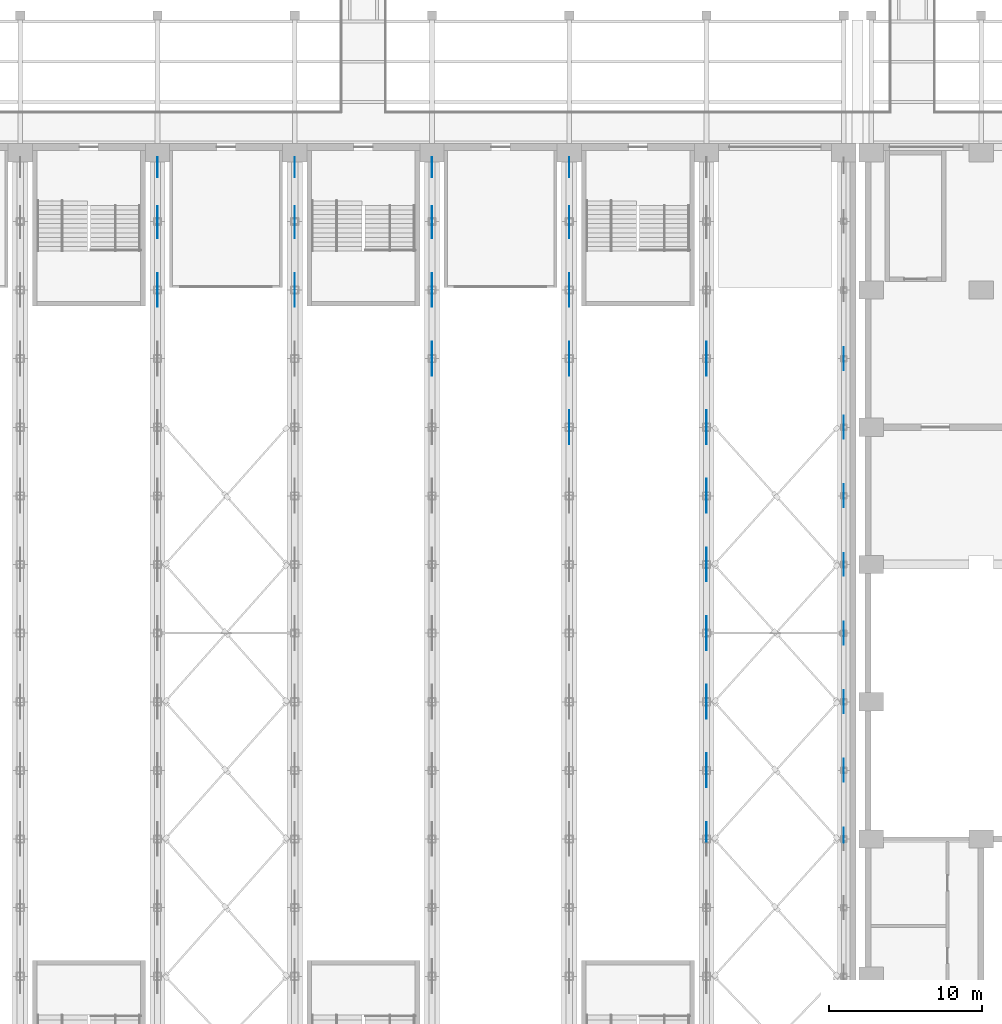
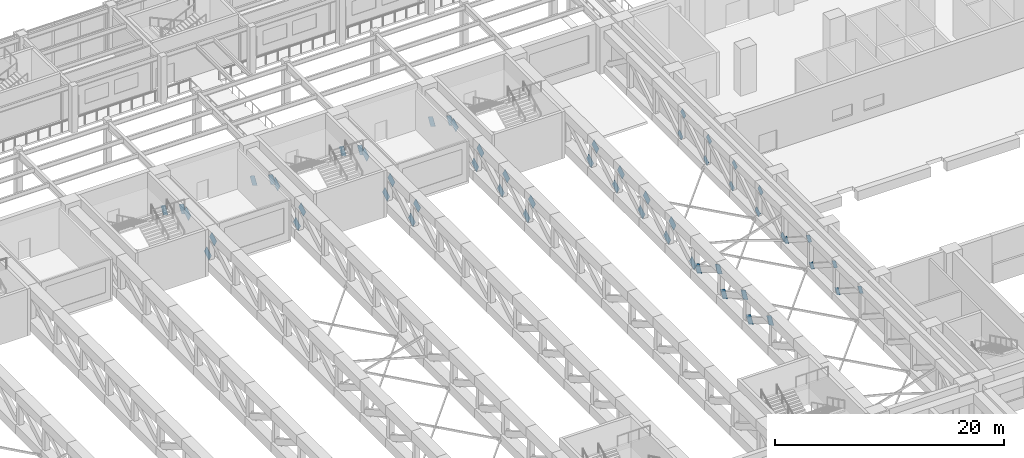
# One storey, part 57 of 76: 56 discrete accessories.
"""IFC4 building model written with IfcOpenShell, lengths in metres."""

from ifc_helpers import new_model, si_unit, direction, frame, origin, place, context, subcontext, project, spatial, polyline, outline, extrude, material, layer, layer_set, type_object, element, save


model = new_model("IFC4")

# Units and contexts
model_context = context("Model", 3, precision=1e-05, world=origin(), true_north=direction((0.0, 1.0)))
body_context = subcontext(model_context, "Body", "Model", "MODEL_VIEW")
ifc_project = project(units=[si_unit("LENGTHUNIT", "METRE"), si_unit("AREAUNIT", "SQUARE_METRE"), si_unit("VOLUMEUNIT", "CUBIC_METRE"), si_unit("PLANEANGLEUNIT", "RADIAN"), si_unit("MASSUNIT", "GRAM", prefix="KILO")], contexts=[model_context])

# Site, building, storey
site_placement = place(None, origin())
site = spatial("IfcSite", under=ifc_project, at=site_placement, CompositionType="ELEMENT")
building_placement = place(site_placement, origin())
building = spatial("IfcBuilding", under=site, at=building_placement, Name="Aravalli Gate Trade Fair Centre", CompositionType="ELEMENT")
storey_placement = place(building_placement, frame((0.0, 0.0, 10.0)))
storey = spatial("IfcBuildingStorey", under=building, at=storey_placement, Name="L02", CompositionType="ELEMENT", Elevation=10.0)

# Discrete accessories
ifc_material = material(Name="Steel E350", Category="steel")
ifc_layer_1 = layer(ifc_material, 0.01611328125)
ifc_layer_set_1 = layer_set([ifc_layer_1], Name="Steel E350")
discrete_accessory_type_1 = type_object("IfcDiscreteAccessoryType", Name="Gusset plate 675 x 675 x 16", PredefinedType="USERDEFINED", material=ifc_layer_set_1)
discrete_accessory_1_placement = place(storey_placement, frame((104.991943359375, 64.384521484375, 3.05078125), z_axis=(-1.0, 0.0, 0.0), x_axis=(0.0, -0.840557944742, 0.541721645803)))
element("IfcDiscreteAccessory", 1, at=discrete_accessory_1_placement, inside=storey, type_object=discrete_accessory_type_1, Name="Gusset plate FT2 line 12 diagonal 5 end A", ObjectType="GUSSET PLATE", PredefinedType="USERDEFINED", context=body_context, shape_type="SweptSolid", body=[
    extrude(outline(polyline([(0.0, 0.0), (0.7548813122812147, -5.551115123125783e-17), (0.755038993328129, 0.6749057537468108), (-0.0001797895562460905, 0.6748327956660154), (0.0, 0.0)])), origin(), (0.0, 0.0, -1.0), 0.01611328125),
])
discrete_accessory_2_placement = place(storey_placement, frame((105.008056640625, 67.749755859375, 0.882080078125), z_axis=(1.0, 0.0, 0.0), x_axis=(0.0, 0.840505607678, -0.541802845565)))
element("IfcDiscreteAccessory", 2, at=discrete_accessory_2_placement, inside=storey, type_object=discrete_accessory_type_1, Name="Gusset plate FT2 line 12 diagonal 5 end B", ObjectType="GUSSET PLATE", PredefinedType="USERDEFINED", context=body_context, shape_type="SweptSolid", body=[
    extrude(outline(polyline([(0.0, 0.0), (0.755218786408441, 0.0), (0.7549959059400588, 0.6749057353646954), (0.00011459718133527419, 0.674832809885664), (0.0, 0.0)])), origin(), (0.0, 0.0, -1.0), 0.01611328125),
])
discrete_accessory_3_placement = place(storey_placement, frame((104.991943359375, 68.884521484375, 3.05078125), z_axis=(-1.0, 0.0, 0.0), x_axis=(0.0, -0.840557944742, 0.541721645803)))
element("IfcDiscreteAccessory", 3, at=discrete_accessory_3_placement, inside=storey, type_object=discrete_accessory_type_1, Name="Gusset plate FT2 line 12 diagonal 6 end A", ObjectType="GUSSET PLATE", PredefinedType="USERDEFINED", context=body_context, shape_type="SweptSolid", body=[
    extrude(outline(polyline([(0.0, 0.0), (0.7548813122812147, -5.551115123125783e-17), (0.755038993328129, 0.6749057537468108), (-0.0001797895562460905, 0.6748327956660154), (0.0, 0.0)])), origin(), (0.0, 0.0, -1.0), 0.01611328125),
])
discrete_accessory_4_placement = place(storey_placement, frame((105.008056640625, 72.249755859375, 0.882080078125), z_axis=(1.0, 0.0, 0.0), x_axis=(0.0, 0.840505607678, -0.541802845565)))
element("IfcDiscreteAccessory", 4, at=discrete_accessory_4_placement, inside=storey, type_object=discrete_accessory_type_1, Name="Gusset plate FT2 line 12 diagonal 6 end B", ObjectType="GUSSET PLATE", PredefinedType="USERDEFINED", context=body_context, shape_type="SweptSolid", body=[
    extrude(outline(polyline([(0.0, 0.0), (0.755218786408441, 0.0), (0.7549959059400588, 0.6749057353646954), (0.00011459718133527419, 0.674832809885664), (0.0, 0.0)])), origin(), (0.0, 0.0, -1.0), 0.01611328125),
])
discrete_accessory_5_placement = place(storey_placement, frame((104.991943359375, 73.384521484375, 3.05078125), z_axis=(-1.0, 0.0, 0.0), x_axis=(0.0, -0.840557944742, 0.541721645803)))
element("IfcDiscreteAccessory", 5, at=discrete_accessory_5_placement, inside=storey, type_object=discrete_accessory_type_1, Name="Gusset plate FT2 line 12 diagonal 7 end A", ObjectType="GUSSET PLATE", PredefinedType="USERDEFINED", context=body_context, shape_type="SweptSolid", body=[
    extrude(outline(polyline([(0.0, 0.0), (0.7548813122812147, -5.551115123125783e-17), (0.755038993328129, 0.6749057537468108), (-0.0001797895562460905, 0.6748327956660154), (0.0, 0.0)])), origin(), (0.0, 0.0, -1.0), 0.01611328125),
])
for number, where, z_axis, x_axis, name in (
    (6, (105.008056640625, 76.749755859375, 0.882080078125), (1.0, 0.0, 0.0), (0.0, 0.840505607678, -0.541802845565), "Gusset plate FT2 line 12 diagonal 7 end B"),
    (7, (104.991943359375, 81.249755859375, 3.617919921875), (-1.0, 0.0, 0.0), (0.0, 0.840505607678, 0.541802845565), "Gusset plate FT2 line 12 diagonal 8 end A"),
):
    element("IfcDiscreteAccessory", number, at=place(storey_placement, frame(where, z_axis=z_axis, x_axis=x_axis)), inside=storey, type_object=discrete_accessory_type_1, Name=name, ObjectType="GUSSET PLATE", PredefinedType="USERDEFINED", context=body_context, shape_type="SweptSolid", body=[
        extrude(outline(polyline([(0.0, 0.0), (0.755218786408441, 0.0), (0.7549959059400588, 0.6749057353646954), (0.00011459718133527419, 0.674832809885664), (0.0, 0.0)])), origin(), (0.0, 0.0, -1.0), 0.01611328125),
    ])
discrete_accessory_6_placement = place(storey_placement, frame((105.008056640625, 77.884521484375, 1.44921875), z_axis=(1.0, 0.0, 0.0), x_axis=(0.0, -0.840557944742, -0.541721645803)))
element("IfcDiscreteAccessory", 8, at=discrete_accessory_6_placement, inside=storey, type_object=discrete_accessory_type_1, Name="Gusset plate FT2 line 12 diagonal 8 end B", ObjectType="GUSSET PLATE", PredefinedType="USERDEFINED", context=body_context, shape_type="SweptSolid", body=[
    extrude(outline(polyline([(0.0, 0.0), (0.7548813122812147, -5.551115123125783e-17), (0.755038993328129, 0.6749057537468108), (-0.0001797895562460905, 0.6748327956660154), (0.0, 0.0)])), origin(), (0.0, 0.0, -1.0), 0.01611328125),
])
discrete_accessory_7_placement = place(storey_placement, frame((104.991943359375, 85.749755859375, 3.617919921875), z_axis=(-1.0, 0.0, 0.0), x_axis=(0.0, 0.840505607678, 0.541802845565)))
element("IfcDiscreteAccessory", 9, at=discrete_accessory_7_placement, inside=storey, type_object=discrete_accessory_type_1, Name="Gusset plate FT2 line 12 diagonal 9 end A", ObjectType="GUSSET PLATE", PredefinedType="USERDEFINED", context=body_context, shape_type="SweptSolid", body=[
    extrude(outline(polyline([(0.0, 0.0), (0.755218786408441, 0.0), (0.7549959059400588, 0.6749057353646954), (0.00011459718133527419, 0.674832809885664), (0.0, 0.0)])), origin(), (0.0, 0.0, -1.0), 0.01611328125),
])
discrete_accessory_8_placement = place(storey_placement, frame((105.008056640625, 82.384521484375, 1.44921875), z_axis=(1.0, 0.0, 0.0), x_axis=(0.0, -0.840557944742, -0.541721645803)))
element("IfcDiscreteAccessory", 10, at=discrete_accessory_8_placement, inside=storey, type_object=discrete_accessory_type_1, Name="Gusset plate FT2 line 12 diagonal 9 end B", ObjectType="GUSSET PLATE", PredefinedType="USERDEFINED", context=body_context, shape_type="SweptSolid", body=[
    extrude(outline(polyline([(0.0, 0.0), (0.7548813122812147, -5.551115123125783e-17), (0.755038993328129, 0.6749057537468108), (-0.0001797895562460905, 0.6748327956660154), (0.0, 0.0)])), origin(), (0.0, 0.0, -1.0), 0.01611328125),
])
discrete_accessory_9_placement = place(storey_placement, frame((104.991943359375, 90.249755859375, 3.617919921875), z_axis=(-1.0, 0.0, 0.0), x_axis=(0.0, 0.840505607678, 0.541802845565)))
element("IfcDiscreteAccessory", 11, at=discrete_accessory_9_placement, inside=storey, type_object=discrete_accessory_type_1, Name="Gusset plate FT2 line 12 diagonal 10 end A", ObjectType="GUSSET PLATE", PredefinedType="USERDEFINED", context=body_context, shape_type="SweptSolid", body=[
    extrude(outline(polyline([(0.0, 0.0), (0.755218786408441, 0.0), (0.7549959059400588, 0.6749057353646954), (0.00011459718133527419, 0.674832809885664), (0.0, 0.0)])), origin(), (0.0, 0.0, -1.0), 0.01611328125),
])
discrete_accessory_10_placement = place(storey_placement, frame((105.008056640625, 86.884521484375, 1.44921875), z_axis=(1.0, 0.0, 0.0), x_axis=(0.0, -0.840557944742, -0.541721645803)))
element("IfcDiscreteAccessory", 12, at=discrete_accessory_10_placement, inside=storey, type_object=discrete_accessory_type_1, Name="Gusset plate FT2 line 12 diagonal 10 end B", ObjectType="GUSSET PLATE", PredefinedType="USERDEFINED", context=body_context, shape_type="SweptSolid", body=[
    extrude(outline(polyline([(0.0, 0.0), (0.7548813122812147, -5.551115123125783e-17), (0.755038993328129, 0.6749057537468108), (-0.0001797895562460905, 0.6748327956660154), (0.0, 0.0)])), origin(), (0.0, 0.0, -1.0), 0.01611328125),
])
discrete_accessory_11_placement = place(storey_placement, frame((104.991943359375, 94.749755859375, 3.617919921875), z_axis=(-1.0, 0.0, 0.0), x_axis=(0.0, 0.840505607678, 0.541802845565)))
element("IfcDiscreteAccessory", 13, at=discrete_accessory_11_placement, inside=storey, type_object=discrete_accessory_type_1, Name="Gusset plate FT2 line 12 diagonal 11 end A", ObjectType="GUSSET PLATE", PredefinedType="USERDEFINED", context=body_context, shape_type="SweptSolid", body=[
    extrude(outline(polyline([(0.0, 0.0), (0.755218786408441, 0.0), (0.7549959059400588, 0.6749057353646954), (0.00011459718133527419, 0.674832809885664), (0.0, 0.0)])), origin(), (0.0, 0.0, -1.0), 0.01611328125),
])
for number, where, z_axis, x_axis, name in (
    (14, (105.008056640625, 91.384521484375, 1.44921875), (1.0, 0.0, 0.0), (0.0, -0.840557944742, -0.541721645803), "Gusset plate FT2 line 12 diagonal 11 end B"),
    (15, (105.008056640625, 95.884521484375, 1.44921875), (1.0, 0.0, 0.0), (0.0, -0.840557944742, -0.541721645803), "Gusset plate FT2 line 12 diagonal 12 end B"),
):
    element("IfcDiscreteAccessory", number, at=place(storey_placement, frame(where, z_axis=z_axis, x_axis=x_axis)), inside=storey, type_object=discrete_accessory_type_1, Name=name, ObjectType="GUSSET PLATE", PredefinedType="USERDEFINED", context=body_context, shape_type="SweptSolid", body=[
        extrude(outline(polyline([(0.0, 0.0), (0.7548813122812147, -5.551115123125783e-17), (0.755038993328129, 0.6749057537468108), (-0.0001797895562460905, 0.6748327956660154), (0.0, 0.0)])), origin(), (0.0, 0.0, -1.0), 0.01611328125),
    ])
ifc_layer_2 = layer(ifc_material, 0.02001953125)
ifc_layer_set_2 = layer_set([ifc_layer_2], Name="Steel E350")
discrete_accessory_type_2 = type_object("IfcDiscreteAccessoryType", Name="Gusset plate 900 x 900 x 20", PredefinedType="USERDEFINED", material=ifc_layer_set_2)
for number, where, z_axis, x_axis, name in (
    (16, (59.989990234375, 98.890625, 3.435546875), (-1.0, 0.0, 0.0), (0.0, 0.86388729855, 0.503685155037), "Gusset plate FT1 line 7 diagonal 12 end A"),
    (17, (59.989990234375, 103.390625, 3.435546875), (-1.0, 0.0, 0.0), (0.0, 0.86388729855, 0.503685155037), "Gusset plate FT1 line 7 diagonal 13 end A"),
):
    element("IfcDiscreteAccessory", number, at=place(storey_placement, frame(where, z_axis=z_axis, x_axis=x_axis)), inside=storey, type_object=discrete_accessory_type_2, Name=name, ObjectType="GUSSET PLATE", PredefinedType="USERDEFINED", context=body_context, shape_type="SweptSolid", body=[
        extrude(outline(polyline([(0.0, 0.0), (0.9800811852673053, 0.0), (0.980081550163473, 0.9001036081016202), (3.6489616778156986e-07, 0.9001036081016202), (0.0, 0.0)])), origin(), (0.0, 0.0, -1.0), 0.02001953125),
    ])
discrete_accessory_12_placement = place(storey_placement, frame((60.010009765625, 100.656005859375, 1.842041015625), z_axis=(1.0, 0.0, 0.0), x_axis=(0.0, -0.86388729855, -0.503685155037)))
element("IfcDiscreteAccessory", 18, at=discrete_accessory_12_placement, inside=storey, type_object=discrete_accessory_type_2, Name="Gusset plate FT1 line 7 diagonal 13 end B", ObjectType="GUSSET PLATE", PredefinedType="USERDEFINED", context=body_context, shape_type="SweptSolid", body=[
    extrude(outline(polyline([(0.0, 0.0), (0.9800811852673053, 0.0), (0.9800808203711375, 0.9001036081016202), (-3.6489616778156986e-07, 0.9001036081016202), (0.0, 0.0)])), origin(), (0.0, 0.0, -1.0), 0.02001953125),
])
discrete_accessory_13_placement = place(storey_placement, frame((60.010009765625, 107.3994140625, 1.10693359375), z_axis=(1.0, 0.0, 0.0), x_axis=(0.0, 0.841841417294, -0.539724955999)))
element("IfcDiscreteAccessory", 19, at=discrete_accessory_13_placement, inside=storey, type_object=discrete_accessory_type_2, Name="Gusset plate FT1 line 7 diagonal 14 end A", ObjectType="GUSSET PLATE", PredefinedType="USERDEFINED", context=body_context, shape_type="SweptSolid", body=[
    extrude(outline(polyline([(0.0, 0.0), (0.9802265552012132, 5.551115123125783e-17), (0.9800108119339646, 0.9000460685456917), (0.00012155321060602908, 0.8999723096440082), (0.0, 0.0)])), origin(), (0.0, 0.0, -1.0), 0.02001953125),
])
discrete_accessory_14_placement = place(storey_placement, frame((59.989990234375, 105.014892578125, 2.635498046875), z_axis=(-1.0, 0.0, 0.0), x_axis=(0.0, -0.841954580103, 0.539548408433)))
element("IfcDiscreteAccessory", 20, at=discrete_accessory_14_placement, inside=storey, type_object=discrete_accessory_type_2, Name="Gusset plate FT1 line 7 diagonal 14 end B", ObjectType="GUSSET PLATE", PredefinedType="USERDEFINED", context=body_context, shape_type="SweptSolid", body=[
    extrude(outline(polyline([(0.0, 0.0), (0.9800948079628956, 0.0), (0.9799162545865907, 0.9001778196834035), (-0.00010472374454933986, 0.8998405386803427), (0.0, 0.0)])), origin(), (0.0, 0.0, -1.0), 0.02001953125),
])
for number, where, z_axis, x_axis, name in (
    (21, (68.989990234375, 98.890625, 3.435546875), (-1.0, 0.0, 0.0), (0.0, 0.86388729855, 0.503685155037), "Gusset plate FT1 line 8 diagonal 12 end A"),
    (22, (68.989990234375, 103.390625, 3.435546875), (-1.0, 0.0, 0.0), (0.0, 0.86388729855, 0.503685155037), "Gusset plate FT1 line 8 diagonal 13 end A"),
):
    element("IfcDiscreteAccessory", number, at=place(storey_placement, frame(where, z_axis=z_axis, x_axis=x_axis)), inside=storey, type_object=discrete_accessory_type_2, Name=name, ObjectType="GUSSET PLATE", PredefinedType="USERDEFINED", context=body_context, shape_type="SweptSolid", body=[
        extrude(outline(polyline([(0.0, 0.0), (0.9800811852673053, 0.0), (0.980081550163473, 0.9001036081016202), (3.6489616778156986e-07, 0.9001036081016202), (0.0, 0.0)])), origin(), (0.0, 0.0, -1.0), 0.02001953125),
    ])
discrete_accessory_15_placement = place(storey_placement, frame((69.010009765625, 100.656005859375, 1.842041015625), z_axis=(1.0, 0.0, 0.0), x_axis=(0.0, -0.86388729855, -0.503685155037)))
element("IfcDiscreteAccessory", 23, at=discrete_accessory_15_placement, inside=storey, type_object=discrete_accessory_type_2, Name="Gusset plate FT1 line 8 diagonal 13 end B", ObjectType="GUSSET PLATE", PredefinedType="USERDEFINED", context=body_context, shape_type="SweptSolid", body=[
    extrude(outline(polyline([(0.0, 0.0), (0.9800811852673053, 0.0), (0.9800808203711375, 0.9001036081016202), (-3.6489616778156986e-07, 0.9001036081016202), (0.0, 0.0)])), origin(), (0.0, 0.0, -1.0), 0.02001953125),
])
discrete_accessory_16_placement = place(storey_placement, frame((69.010009765625, 107.3994140625, 1.10693359375), z_axis=(1.0, 0.0, 0.0), x_axis=(0.0, 0.841841417294, -0.539724955999)))
element("IfcDiscreteAccessory", 24, at=discrete_accessory_16_placement, inside=storey, type_object=discrete_accessory_type_2, Name="Gusset plate FT1 line 8 diagonal 14 end A", ObjectType="GUSSET PLATE", PredefinedType="USERDEFINED", context=body_context, shape_type="SweptSolid", body=[
    extrude(outline(polyline([(0.0, 0.0), (0.9802265552012132, 5.551115123125783e-17), (0.9800108119339646, 0.9000460685456917), (0.00012155321060602908, 0.8999723096440082), (0.0, 0.0)])), origin(), (0.0, 0.0, -1.0), 0.02001953125),
])
discrete_accessory_17_placement = place(storey_placement, frame((68.989990234375, 105.014892578125, 2.635498046875), z_axis=(-1.0, 0.0, 0.0), x_axis=(0.0, -0.841954580103, 0.539548408433)))
element("IfcDiscreteAccessory", 25, at=discrete_accessory_17_placement, inside=storey, type_object=discrete_accessory_type_2, Name="Gusset plate FT1 line 8 diagonal 14 end B", ObjectType="GUSSET PLATE", PredefinedType="USERDEFINED", context=body_context, shape_type="SweptSolid", body=[
    extrude(outline(polyline([(0.0, 0.0), (0.9800948079628956, 0.0), (0.9799162545865907, 0.9001778196834035), (-0.00010472374454933986, 0.8998405386803427), (0.0, 0.0)])), origin(), (0.0, 0.0, -1.0), 0.02001953125),
])
for number, where, z_axis, x_axis, name in (
    (26, (77.989990234375, 94.390625, 3.435546875), (-1.0, 0.0, 0.0), (0.0, 0.86388729855, 0.503685155037), "Gusset plate FT1 line 9 diagonal 11 end A"),
    (27, (77.989990234375, 98.890625, 3.435546875), (-1.0, 0.0, 0.0), (0.0, 0.86388729855, 0.503685155037), "Gusset plate FT1 line 9 diagonal 12 end A"),
):
    element("IfcDiscreteAccessory", number, at=place(storey_placement, frame(where, z_axis=z_axis, x_axis=x_axis)), inside=storey, type_object=discrete_accessory_type_2, Name=name, ObjectType="GUSSET PLATE", PredefinedType="USERDEFINED", context=body_context, shape_type="SweptSolid", body=[
        extrude(outline(polyline([(0.0, 0.0), (0.9800811852673053, 0.0), (0.980081550163473, 0.9001036081016202), (3.6489616778156986e-07, 0.9001036081016202), (0.0, 0.0)])), origin(), (0.0, 0.0, -1.0), 0.02001953125),
    ])
discrete_accessory_18_placement = place(storey_placement, frame((78.010009765625, 96.156005859375, 1.842041015625), z_axis=(1.0, 0.0, 0.0), x_axis=(0.0, -0.86388729855, -0.503685155037)))
element("IfcDiscreteAccessory", 28, at=discrete_accessory_18_placement, inside=storey, type_object=discrete_accessory_type_2, Name="Gusset plate FT1 line 9 diagonal 12 end B", ObjectType="GUSSET PLATE", PredefinedType="USERDEFINED", context=body_context, shape_type="SweptSolid", body=[
    extrude(outline(polyline([(0.0, 0.0), (0.9800811852673053, 0.0), (0.9800808203711375, 0.9001036081016202), (-3.6489616778156986e-07, 0.9001036081016202), (0.0, 0.0)])), origin(), (0.0, 0.0, -1.0), 0.02001953125),
])
discrete_accessory_19_placement = place(storey_placement, frame((77.989990234375, 103.390625, 3.435546875), z_axis=(-1.0, 0.0, 0.0), x_axis=(0.0, 0.86388729855, 0.503685155037)))
element("IfcDiscreteAccessory", 29, at=discrete_accessory_19_placement, inside=storey, type_object=discrete_accessory_type_2, Name="Gusset plate FT1 line 9 diagonal 13 end A", ObjectType="GUSSET PLATE", PredefinedType="USERDEFINED", context=body_context, shape_type="SweptSolid", body=[
    extrude(outline(polyline([(0.0, 0.0), (0.9800811852673053, 0.0), (0.980081550163473, 0.9001036081016202), (3.6489616778156986e-07, 0.9001036081016202), (0.0, 0.0)])), origin(), (0.0, 0.0, -1.0), 0.02001953125),
])
discrete_accessory_20_placement = place(storey_placement, frame((78.010009765625, 100.656005859375, 1.842041015625), z_axis=(1.0, 0.0, 0.0), x_axis=(0.0, -0.86388729855, -0.503685155037)))
element("IfcDiscreteAccessory", 30, at=discrete_accessory_20_placement, inside=storey, type_object=discrete_accessory_type_2, Name="Gusset plate FT1 line 9 diagonal 13 end B", ObjectType="GUSSET PLATE", PredefinedType="USERDEFINED", context=body_context, shape_type="SweptSolid", body=[
    extrude(outline(polyline([(0.0, 0.0), (0.9800811852673053, 0.0), (0.9800808203711375, 0.9001036081016202), (-3.6489616778156986e-07, 0.9001036081016202), (0.0, 0.0)])), origin(), (0.0, 0.0, -1.0), 0.02001953125),
])
discrete_accessory_21_placement = place(storey_placement, frame((78.010009765625, 107.3994140625, 1.10693359375), z_axis=(1.0, 0.0, 0.0), x_axis=(0.0, 0.841841417294, -0.539724955999)))
element("IfcDiscreteAccessory", 31, at=discrete_accessory_21_placement, inside=storey, type_object=discrete_accessory_type_2, Name="Gusset plate FT1 line 9 diagonal 14 end A", ObjectType="GUSSET PLATE", PredefinedType="USERDEFINED", context=body_context, shape_type="SweptSolid", body=[
    extrude(outline(polyline([(0.0, 0.0), (0.9802265552012132, 5.551115123125783e-17), (0.9800108119339646, 0.9000460685456917), (0.00012155321060602908, 0.8999723096440082), (0.0, 0.0)])), origin(), (0.0, 0.0, -1.0), 0.02001953125),
])
discrete_accessory_22_placement = place(storey_placement, frame((77.989990234375, 105.014892578125, 2.635498046875), z_axis=(-1.0, 0.0, 0.0), x_axis=(0.0, -0.841954580103, 0.539548408433)))
element("IfcDiscreteAccessory", 32, at=discrete_accessory_22_placement, inside=storey, type_object=discrete_accessory_type_2, Name="Gusset plate FT1 line 9 diagonal 14 end B", ObjectType="GUSSET PLATE", PredefinedType="USERDEFINED", context=body_context, shape_type="SweptSolid", body=[
    extrude(outline(polyline([(0.0, 0.0), (0.9800948079628956, 0.0), (0.9799162545865907, 0.9001778196834035), (-0.00010472374454933986, 0.8998405386803427), (0.0, 0.0)])), origin(), (0.0, 0.0, -1.0), 0.02001953125),
])
for number, where, z_axis, x_axis, name in (
    (33, (86.989990234375, 89.890625, 3.435546875), (-1.0, 0.0, 0.0), (0.0, 0.86388729855, 0.503685155037), "Gusset plate FT1 line 10 diagonal 10 end A"),
    (34, (86.989990234375, 94.390625, 3.435546875), (-1.0, 0.0, 0.0), (0.0, 0.86388729855, 0.503685155037), "Gusset plate FT1 line 10 diagonal 11 end A"),
):
    element("IfcDiscreteAccessory", number, at=place(storey_placement, frame(where, z_axis=z_axis, x_axis=x_axis)), inside=storey, type_object=discrete_accessory_type_2, Name=name, ObjectType="GUSSET PLATE", PredefinedType="USERDEFINED", context=body_context, shape_type="SweptSolid", body=[
        extrude(outline(polyline([(0.0, 0.0), (0.9800811852673053, 0.0), (0.980081550163473, 0.9001036081016202), (3.6489616778156986e-07, 0.9001036081016202), (0.0, 0.0)])), origin(), (0.0, 0.0, -1.0), 0.02001953125),
    ])
discrete_accessory_23_placement = place(storey_placement, frame((87.010009765625, 91.656005859375, 1.842041015625), z_axis=(1.0, 0.0, 0.0), x_axis=(0.0, -0.86388729855, -0.503685155037)))
element("IfcDiscreteAccessory", 35, at=discrete_accessory_23_placement, inside=storey, type_object=discrete_accessory_type_2, Name="Gusset plate FT1 line 10 diagonal 11 end B", ObjectType="GUSSET PLATE", PredefinedType="USERDEFINED", context=body_context, shape_type="SweptSolid", body=[
    extrude(outline(polyline([(0.0, 0.0), (0.9800811852673053, 0.0), (0.9800808203711375, 0.9001036081016202), (-3.6489616778156986e-07, 0.9001036081016202), (0.0, 0.0)])), origin(), (0.0, 0.0, -1.0), 0.02001953125),
])
discrete_accessory_24_placement = place(storey_placement, frame((86.989990234375, 98.890625, 3.435546875), z_axis=(-1.0, 0.0, 0.0), x_axis=(0.0, 0.86388729855, 0.503685155037)))
element("IfcDiscreteAccessory", 36, at=discrete_accessory_24_placement, inside=storey, type_object=discrete_accessory_type_2, Name="Gusset plate FT1 line 10 diagonal 12 end A", ObjectType="GUSSET PLATE", PredefinedType="USERDEFINED", context=body_context, shape_type="SweptSolid", body=[
    extrude(outline(polyline([(0.0, 0.0), (0.9800811852673053, 0.0), (0.980081550163473, 0.9001036081016202), (3.6489616778156986e-07, 0.9001036081016202), (0.0, 0.0)])), origin(), (0.0, 0.0, -1.0), 0.02001953125),
])
discrete_accessory_25_placement = place(storey_placement, frame((87.010009765625, 96.156005859375, 1.842041015625), z_axis=(1.0, 0.0, 0.0), x_axis=(0.0, -0.86388729855, -0.503685155037)))
element("IfcDiscreteAccessory", 37, at=discrete_accessory_25_placement, inside=storey, type_object=discrete_accessory_type_2, Name="Gusset plate FT1 line 10 diagonal 12 end B", ObjectType="GUSSET PLATE", PredefinedType="USERDEFINED", context=body_context, shape_type="SweptSolid", body=[
    extrude(outline(polyline([(0.0, 0.0), (0.9800811852673053, 0.0), (0.9800808203711375, 0.9001036081016202), (-3.6489616778156986e-07, 0.9001036081016202), (0.0, 0.0)])), origin(), (0.0, 0.0, -1.0), 0.02001953125),
])
discrete_accessory_26_placement = place(storey_placement, frame((86.989990234375, 103.390625, 3.435546875), z_axis=(-1.0, 0.0, 0.0), x_axis=(0.0, 0.86388729855, 0.503685155037)))
element("IfcDiscreteAccessory", 38, at=discrete_accessory_26_placement, inside=storey, type_object=discrete_accessory_type_2, Name="Gusset plate FT1 line 10 diagonal 13 end A", ObjectType="GUSSET PLATE", PredefinedType="USERDEFINED", context=body_context, shape_type="SweptSolid", body=[
    extrude(outline(polyline([(0.0, 0.0), (0.9800811852673053, 0.0), (0.980081550163473, 0.9001036081016202), (3.6489616778156986e-07, 0.9001036081016202), (0.0, 0.0)])), origin(), (0.0, 0.0, -1.0), 0.02001953125),
])
discrete_accessory_27_placement = place(storey_placement, frame((87.010009765625, 100.656005859375, 1.842041015625), z_axis=(1.0, 0.0, 0.0), x_axis=(0.0, -0.86388729855, -0.503685155037)))
element("IfcDiscreteAccessory", 39, at=discrete_accessory_27_placement, inside=storey, type_object=discrete_accessory_type_2, Name="Gusset plate FT1 line 10 diagonal 13 end B", ObjectType="GUSSET PLATE", PredefinedType="USERDEFINED", context=body_context, shape_type="SweptSolid", body=[
    extrude(outline(polyline([(0.0, 0.0), (0.9800811852673053, 0.0), (0.9800808203711375, 0.9001036081016202), (-3.6489616778156986e-07, 0.9001036081016202), (0.0, 0.0)])), origin(), (0.0, 0.0, -1.0), 0.02001953125),
])
discrete_accessory_28_placement = place(storey_placement, frame((87.010009765625, 107.3994140625, 1.10693359375), z_axis=(1.0, 0.0, 0.0), x_axis=(0.0, 0.841841417294, -0.539724955999)))
element("IfcDiscreteAccessory", 40, at=discrete_accessory_28_placement, inside=storey, type_object=discrete_accessory_type_2, Name="Gusset plate FT1 line 10 diagonal 14 end A", ObjectType="GUSSET PLATE", PredefinedType="USERDEFINED", context=body_context, shape_type="SweptSolid", body=[
    extrude(outline(polyline([(0.0, 0.0), (0.9802265552012132, 5.551115123125783e-17), (0.9800108119339646, 0.9000460685456917), (0.00012155321060602908, 0.8999723096440082), (0.0, 0.0)])), origin(), (0.0, 0.0, -1.0), 0.02001953125),
])
discrete_accessory_29_placement = place(storey_placement, frame((86.989990234375, 105.014892578125, 2.635498046875), z_axis=(-1.0, 0.0, 0.0), x_axis=(0.0, -0.841954580103, 0.539548408433)))
element("IfcDiscreteAccessory", 41, at=discrete_accessory_29_placement, inside=storey, type_object=discrete_accessory_type_2, Name="Gusset plate FT1 line 10 diagonal 14 end B", ObjectType="GUSSET PLATE", PredefinedType="USERDEFINED", context=body_context, shape_type="SweptSolid", body=[
    extrude(outline(polyline([(0.0, 0.0), (0.9800948079628956, 0.0), (0.9799162545865907, 0.9001778196834035), (-0.00010472374454933986, 0.8998405386803427), (0.0, 0.0)])), origin(), (0.0, 0.0, -1.0), 0.02001953125),
])
discrete_accessory_30_placement = place(storey_placement, frame((95.989990234375, 64.656005859375, 2.657958984375), z_axis=(-1.0, 0.0, 0.0), x_axis=(0.0, -0.86388729855, 0.503685155037)))
element("IfcDiscreteAccessory", 42, at=discrete_accessory_30_placement, inside=storey, type_object=discrete_accessory_type_2, Name="Gusset plate FT1 line 11 diagonal 5 end A", ObjectType="GUSSET PLATE", PredefinedType="USERDEFINED", context=body_context, shape_type="SweptSolid", body=[
    extrude(outline(polyline([(0.0, 0.0), (0.9800811852673053, 0.0), (0.9800808203711375, 0.9001036081016202), (-3.6489616778156986e-07, 0.9001036081016202), (0.0, 0.0)])), origin(), (0.0, 0.0, -1.0), 0.02001953125),
])
discrete_accessory_31_placement = place(storey_placement, frame((96.010009765625, 67.390625, 1.064453125), z_axis=(1.0, 0.0, 0.0), x_axis=(0.0, 0.86388729855, -0.503685155037)))
element("IfcDiscreteAccessory", 43, at=discrete_accessory_31_placement, inside=storey, type_object=discrete_accessory_type_2, Name="Gusset plate FT1 line 11 diagonal 5 end B", ObjectType="GUSSET PLATE", PredefinedType="USERDEFINED", context=body_context, shape_type="SweptSolid", body=[
    extrude(outline(polyline([(0.0, 0.0), (0.9800811852673053, 0.0), (0.980081550163473, 0.9001036081016202), (3.6489616778156986e-07, 0.9001036081016202), (0.0, 0.0)])), origin(), (0.0, 0.0, -1.0), 0.02001953125),
])
discrete_accessory_32_placement = place(storey_placement, frame((95.989990234375, 69.156005859375, 2.657958984375), z_axis=(-1.0, 0.0, 0.0), x_axis=(0.0, -0.86388729855, 0.503685155037)))
element("IfcDiscreteAccessory", 44, at=discrete_accessory_32_placement, inside=storey, type_object=discrete_accessory_type_2, Name="Gusset plate FT1 line 11 diagonal 6 end A", ObjectType="GUSSET PLATE", PredefinedType="USERDEFINED", context=body_context, shape_type="SweptSolid", body=[
    extrude(outline(polyline([(0.0, 0.0), (0.9800811852673053, 0.0), (0.9800808203711375, 0.9001036081016202), (-3.6489616778156986e-07, 0.9001036081016202), (0.0, 0.0)])), origin(), (0.0, 0.0, -1.0), 0.02001953125),
])
discrete_accessory_33_placement = place(storey_placement, frame((96.010009765625, 71.890625, 1.064453125), z_axis=(1.0, 0.0, 0.0), x_axis=(0.0, 0.86388729855, -0.503685155037)))
element("IfcDiscreteAccessory", 45, at=discrete_accessory_33_placement, inside=storey, type_object=discrete_accessory_type_2, Name="Gusset plate FT1 line 11 diagonal 6 end B", ObjectType="GUSSET PLATE", PredefinedType="USERDEFINED", context=body_context, shape_type="SweptSolid", body=[
    extrude(outline(polyline([(0.0, 0.0), (0.9800811852673053, 0.0), (0.980081550163473, 0.9001036081016202), (3.6489616778156986e-07, 0.9001036081016202), (0.0, 0.0)])), origin(), (0.0, 0.0, -1.0), 0.02001953125),
])
discrete_accessory_34_placement = place(storey_placement, frame((95.989990234375, 73.656005859375, 2.657958984375), z_axis=(-1.0, 0.0, 0.0), x_axis=(0.0, -0.86388729855, 0.503685155037)))
element("IfcDiscreteAccessory", 46, at=discrete_accessory_34_placement, inside=storey, type_object=discrete_accessory_type_2, Name="Gusset plate FT1 line 11 diagonal 7 end A", ObjectType="GUSSET PLATE", PredefinedType="USERDEFINED", context=body_context, shape_type="SweptSolid", body=[
    extrude(outline(polyline([(0.0, 0.0), (0.9800811852673053, 0.0), (0.9800808203711375, 0.9001036081016202), (-3.6489616778156986e-07, 0.9001036081016202), (0.0, 0.0)])), origin(), (0.0, 0.0, -1.0), 0.02001953125),
])
for number, where, z_axis, x_axis, name in (
    (47, (96.010009765625, 76.390625, 1.064453125), (1.0, 0.0, 0.0), (0.0, 0.86388729855, -0.503685155037), "Gusset plate FT1 line 11 diagonal 7 end B"),
    (48, (95.989990234375, 80.890625, 3.435546875), (-1.0, 0.0, 0.0), (0.0, 0.86388729855, 0.503685155037), "Gusset plate FT1 line 11 diagonal 8 end A"),
):
    element("IfcDiscreteAccessory", number, at=place(storey_placement, frame(where, z_axis=z_axis, x_axis=x_axis)), inside=storey, type_object=discrete_accessory_type_2, Name=name, ObjectType="GUSSET PLATE", PredefinedType="USERDEFINED", context=body_context, shape_type="SweptSolid", body=[
        extrude(outline(polyline([(0.0, 0.0), (0.9800811852673053, 0.0), (0.980081550163473, 0.9001036081016202), (3.6489616778156986e-07, 0.9001036081016202), (0.0, 0.0)])), origin(), (0.0, 0.0, -1.0), 0.02001953125),
    ])
discrete_accessory_35_placement = place(storey_placement, frame((96.010009765625, 78.156005859375, 1.842041015625), z_axis=(1.0, 0.0, 0.0), x_axis=(0.0, -0.86388729855, -0.503685155037)))
element("IfcDiscreteAccessory", 49, at=discrete_accessory_35_placement, inside=storey, type_object=discrete_accessory_type_2, Name="Gusset plate FT1 line 11 diagonal 8 end B", ObjectType="GUSSET PLATE", PredefinedType="USERDEFINED", context=body_context, shape_type="SweptSolid", body=[
    extrude(outline(polyline([(0.0, 0.0), (0.9800811852673053, 0.0), (0.9800808203711375, 0.9001036081016202), (-3.6489616778156986e-07, 0.9001036081016202), (0.0, 0.0)])), origin(), (0.0, 0.0, -1.0), 0.02001953125),
])
discrete_accessory_36_placement = place(storey_placement, frame((95.989990234375, 85.390625, 3.435546875), z_axis=(-1.0, 0.0, 0.0), x_axis=(0.0, 0.86388729855, 0.503685155037)))
element("IfcDiscreteAccessory", 50, at=discrete_accessory_36_placement, inside=storey, type_object=discrete_accessory_type_2, Name="Gusset plate FT1 line 11 diagonal 9 end A", ObjectType="GUSSET PLATE", PredefinedType="USERDEFINED", context=body_context, shape_type="SweptSolid", body=[
    extrude(outline(polyline([(0.0, 0.0), (0.9800811852673053, 0.0), (0.980081550163473, 0.9001036081016202), (3.6489616778156986e-07, 0.9001036081016202), (0.0, 0.0)])), origin(), (0.0, 0.0, -1.0), 0.02001953125),
])
discrete_accessory_37_placement = place(storey_placement, frame((96.010009765625, 82.656005859375, 1.842041015625), z_axis=(1.0, 0.0, 0.0), x_axis=(0.0, -0.86388729855, -0.503685155037)))
element("IfcDiscreteAccessory", 51, at=discrete_accessory_37_placement, inside=storey, type_object=discrete_accessory_type_2, Name="Gusset plate FT1 line 11 diagonal 9 end B", ObjectType="GUSSET PLATE", PredefinedType="USERDEFINED", context=body_context, shape_type="SweptSolid", body=[
    extrude(outline(polyline([(0.0, 0.0), (0.9800811852673053, 0.0), (0.9800808203711375, 0.9001036081016202), (-3.6489616778156986e-07, 0.9001036081016202), (0.0, 0.0)])), origin(), (0.0, 0.0, -1.0), 0.02001953125),
])
discrete_accessory_38_placement = place(storey_placement, frame((95.989990234375, 89.890625, 3.435546875), z_axis=(-1.0, 0.0, 0.0), x_axis=(0.0, 0.86388729855, 0.503685155037)))
element("IfcDiscreteAccessory", 52, at=discrete_accessory_38_placement, inside=storey, type_object=discrete_accessory_type_2, Name="Gusset plate FT1 line 11 diagonal 10 end A", ObjectType="GUSSET PLATE", PredefinedType="USERDEFINED", context=body_context, shape_type="SweptSolid", body=[
    extrude(outline(polyline([(0.0, 0.0), (0.9800811852673053, 0.0), (0.980081550163473, 0.9001036081016202), (3.6489616778156986e-07, 0.9001036081016202), (0.0, 0.0)])), origin(), (0.0, 0.0, -1.0), 0.02001953125),
])
discrete_accessory_39_placement = place(storey_placement, frame((96.010009765625, 87.156005859375, 1.842041015625), z_axis=(1.0, 0.0, 0.0), x_axis=(0.0, -0.86388729855, -0.503685155037)))
element("IfcDiscreteAccessory", 53, at=discrete_accessory_39_placement, inside=storey, type_object=discrete_accessory_type_2, Name="Gusset plate FT1 line 11 diagonal 10 end B", ObjectType="GUSSET PLATE", PredefinedType="USERDEFINED", context=body_context, shape_type="SweptSolid", body=[
    extrude(outline(polyline([(0.0, 0.0), (0.9800811852673053, 0.0), (0.9800808203711375, 0.9001036081016202), (-3.6489616778156986e-07, 0.9001036081016202), (0.0, 0.0)])), origin(), (0.0, 0.0, -1.0), 0.02001953125),
])
discrete_accessory_40_placement = place(storey_placement, frame((95.989990234375, 94.390625, 3.435546875), z_axis=(-1.0, 0.0, 0.0), x_axis=(0.0, 0.86388729855, 0.503685155037)))
element("IfcDiscreteAccessory", 54, at=discrete_accessory_40_placement, inside=storey, type_object=discrete_accessory_type_2, Name="Gusset plate FT1 line 11 diagonal 11 end A", ObjectType="GUSSET PLATE", PredefinedType="USERDEFINED", context=body_context, shape_type="SweptSolid", body=[
    extrude(outline(polyline([(0.0, 0.0), (0.9800811852673053, 0.0), (0.980081550163473, 0.9001036081016202), (3.6489616778156986e-07, 0.9001036081016202), (0.0, 0.0)])), origin(), (0.0, 0.0, -1.0), 0.02001953125),
])
for number, where, z_axis, x_axis, name in (
    (55, (96.010009765625, 91.656005859375, 1.842041015625), (1.0, 0.0, 0.0), (0.0, -0.86388729855, -0.503685155037), "Gusset plate FT1 line 11 diagonal 11 end B"),
    (56, (96.010009765625, 96.156005859375, 1.842041015625), (1.0, 0.0, 0.0), (0.0, -0.86388729855, -0.503685155037), "Gusset plate FT1 line 11 diagonal 12 end B"),
):
    element("IfcDiscreteAccessory", number, at=place(storey_placement, frame(where, z_axis=z_axis, x_axis=x_axis)), inside=storey, type_object=discrete_accessory_type_2, Name=name, ObjectType="GUSSET PLATE", PredefinedType="USERDEFINED", context=body_context, shape_type="SweptSolid", body=[
        extrude(outline(polyline([(0.0, 0.0), (0.9800811852673053, 0.0), (0.9800808203711375, 0.9001036081016202), (-3.6489616778156986e-07, 0.9001036081016202), (0.0, 0.0)])), origin(), (0.0, 0.0, -1.0), 0.02001953125),
    ])

save(model, "model.ifc")
